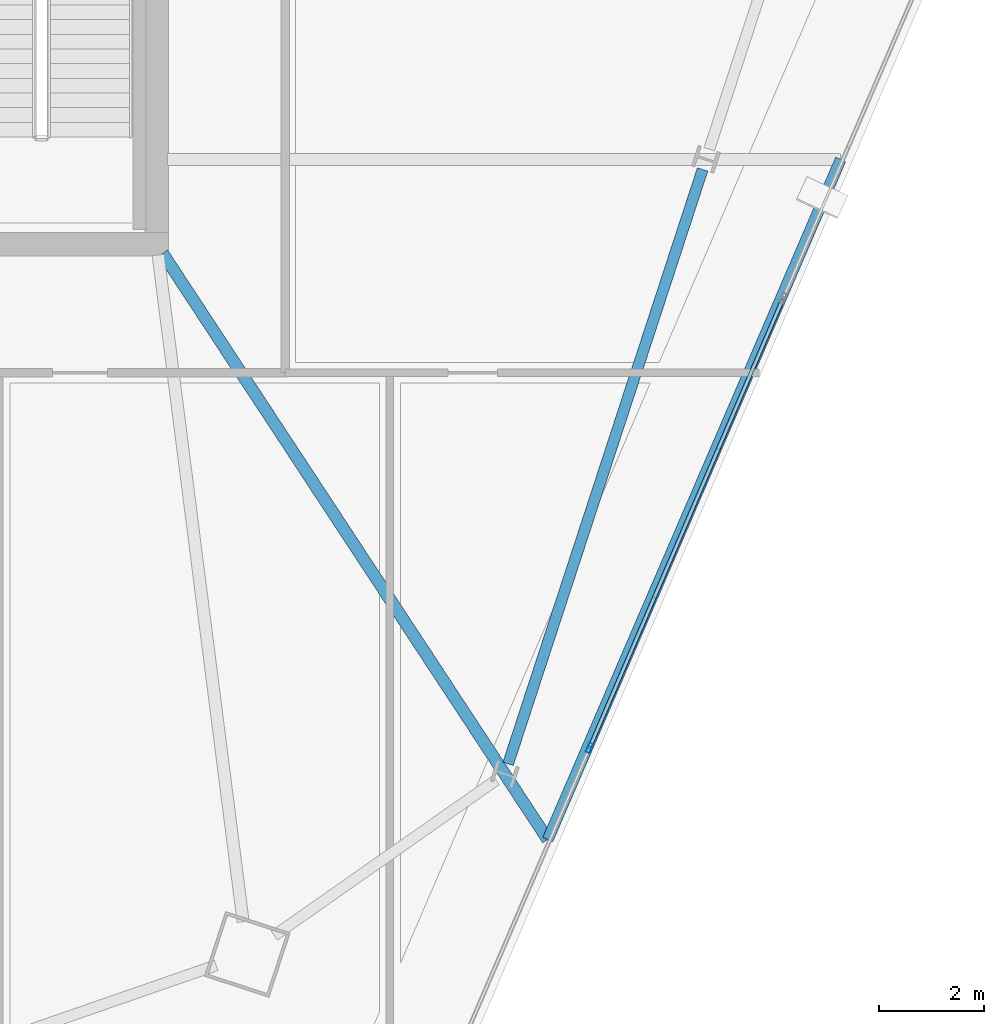
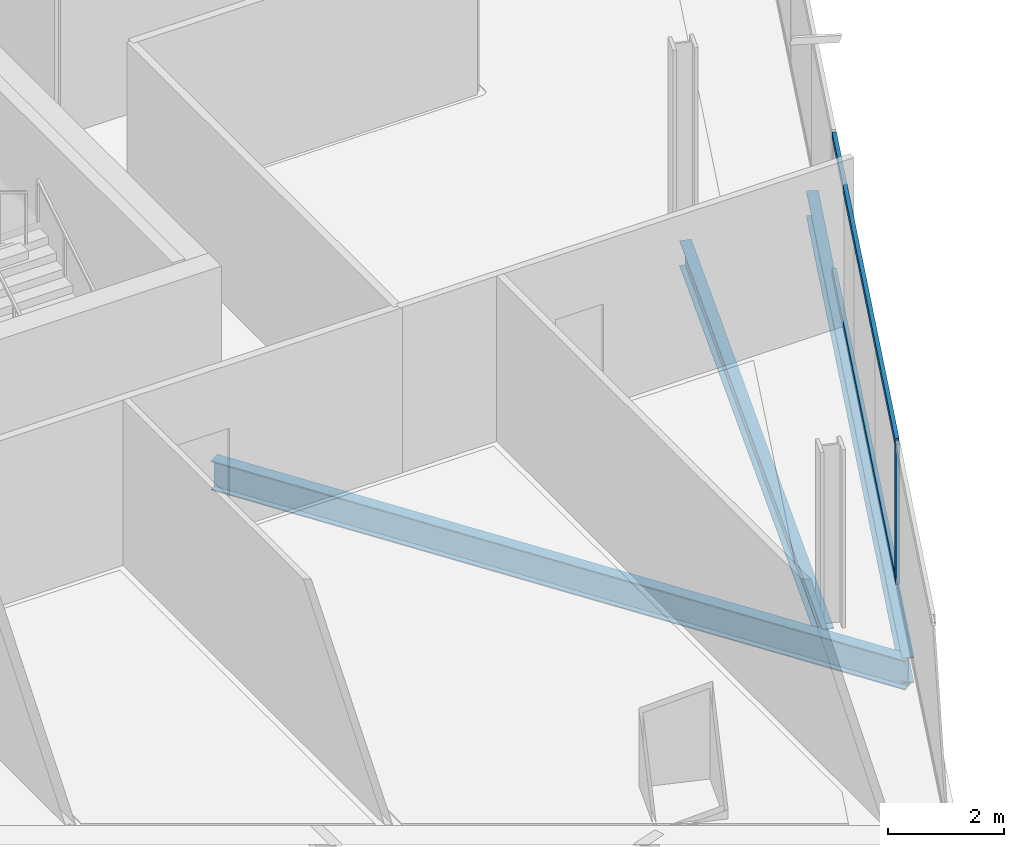
# One storey, part 10 of 28: 3 beams, 3 members, 1 element without a shape of its own.
"""IFC4 building model written with IfcOpenShell, lengths in metres."""

from ifc_helpers import new_model, si_unit, direction, frame, origin, origin_2d, place, context, subcontext, project, spatial, hollow_rectangle, i_section, extrude, material, material_profile, profile_set, type_object, element, aggregate, save


model = new_model("IFC4")

# Units and contexts
model_context = context("Model", 3, precision=1e-05, world=origin(), true_north=direction((0.0, 1.0)))
body_context = subcontext(model_context, "Body", "Model", "MODEL_VIEW")
ifc_project = project(units=[si_unit("LENGTHUNIT", "METRE"), si_unit("AREAUNIT", "SQUARE_METRE"), si_unit("VOLUMEUNIT", "CUBIC_METRE"), si_unit("PLANEANGLEUNIT", "RADIAN"), si_unit("MASSUNIT", "GRAM", prefix="KILO")], contexts=[model_context])

# Site, building, storey
site_placement = place(None, origin())
site = spatial("IfcSite", under=ifc_project, at=site_placement, CompositionType="ELEMENT")
building_placement = place(site_placement, origin())
building = spatial("IfcBuilding", under=site, at=building_placement, Name="Haldenkirk Collegiate Tower", CompositionType="ELEMENT")
storey_placement = place(building_placement, frame((0.0, 0.0, 252.449951171875)))
storey = spatial("IfcBuildingStorey", under=building, at=storey_placement, Name="L63", CompositionType="ELEMENT", Elevation=252.449951171875)

# Beams
ifc_material_1 = material(Name="Steel ASTM A992 Grade 50", Category="steel")
ifc_material_profile_1 = material_profile(ifc_material_1, i_section(OverallWidth=0.22998046875, OverallDepth=0.616943359375, WebThickness=0.01318359375, FlangeThickness=0.022216796875, at=origin_2d()), Name="W24X94")
ifc_profile_set_1 = profile_set([ifc_material_profile_1], Name="Steel ASTM A992 Grade 50")
beam_type_1 = type_object("IfcBeamType", Name="BM-GIRDER-W24X94", PredefinedType="BEAM", material=ifc_profile_set_1)
beam_1_placement = place(storey_placement, frame((52.46435546875, 6.638427734375, -0.578369140625), z_axis=(-0.549086920248, 0.835765250542, 0.0), x_axis=(-0.835765250542, -0.549086920248, 0.0)))
element("IfcBeam", 1, at=beam_1_placement, inside=storey, type_object=beam_type_1, Name="L63 primary floor girder 05", PredefinedType="BEAM", context=body_context, shape_type="SweptSolid", body=[
    extrude(i_section(OverallWidth=0.22998046875, OverallDepth=0.616943359375, WebThickness=0.01318359375, FlangeThickness=0.022216796875, at=origin_2d()), origin(), (0.0, 0.0, 1.0), 13.38916015625),
])
ifc_material_profile_2 = material_profile(ifc_material_1, i_section(OverallWidth=0.2099609375, OverallDepth=0.537109375, WebThickness=0.010986328125, FlangeThickness=0.017333984375, at=origin_2d()), Name="W21X68")
ifc_profile_set_2 = profile_set([ifc_material_profile_2], Name="Steel ASTM A992 Grade 50")
beam_type_2 = type_object("IfcBeamType", Name="BM-SPANDREL-W21X68", PredefinedType="SPANDREL", material=ifc_profile_set_2)
beam_2_placement = place(storey_placement, frame((51.7060546875, 8.081298828125, -0.538330078125), z_axis=(0.311010188249, 0.950406577631, 0.0), x_axis=(-0.950406577631, 0.311010188249, 0.0)))
element("IfcBeam", 2, at=beam_2_placement, inside=storey, type_object=beam_type_2, Name="L63 perimeter spandrel beam 02", PredefinedType="SPANDREL", context=body_context, shape_type="SweptSolid", body=[
    extrude(i_section(OverallWidth=0.2099609375, OverallDepth=0.537109375, WebThickness=0.010986328125, FlangeThickness=0.017333984375, at=origin_2d()), origin(), (0.0, 0.0, 1.0), 11.94287109375),
])
beam_3_placement = place(storey_placement, frame((52.46435546875, 6.638427734375, -0.538330078125), z_axis=(0.395542108336, 0.918447843121, 0.0), x_axis=(-0.918447843121, 0.395542108336, 0.0)))
element("IfcBeam", 3, at=beam_3_placement, inside=storey, type_object=beam_type_2, Name="L63 outer facade edge beam 1", PredefinedType="SPANDREL", context=body_context, shape_type="SweptSolid", body=[
    extrude(i_section(OverallWidth=0.2099609375, OverallDepth=0.537109375, WebThickness=0.010986328125, FlangeThickness=0.017333984375, at=origin_2d()), origin(), (0.0, 0.0, 1.0), 14.138916015625),
])

# Curtain wall, members
ifc_material_2 = material(Name="Anodised architectural bronze aluminium", Category="aluminium")
curtain_wall_type = type_object("IfcCurtainWallType", Name="CW-SYS2-CONCAVE", PredefinedType="USERDEFINED", material=ifc_material_2)
curtain_wall_placement = place(storey_placement, origin())
curtain_wall = element("IfcCurtainWall", 4, at=curtain_wall_placement, inside=storey, type_object=curtain_wall_type, Name="L63 South concave recessed bronze-anodised curtain wall", ObjectType="UNITISED CURTAIN WALL", PredefinedType="USERDEFINED")
ifc_material_profile_3 = material_profile(ifc_material_2, hollow_rectangle(XDim=0.074951171875, YDim=0.18994140625, WallThickness=0.0048828125, at=origin_2d()), Name="CW-MUL-02")
ifc_profile_set_3 = profile_set([ifc_material_profile_3], Name="Anodised architectural bronze aluminium")
member_type_1 = type_object("IfcMemberType", Name="CW-MUL-02", PredefinedType="MULLION", material=ifc_profile_set_3)
member_1_placement = place(storey_placement, frame((53.2607421875, 8.38623046875, 0.0), z_axis=(0.0, 0.0, 1.0), x_axis=(0.918446421115, -0.395545410215, 0.0)))
member_1 = element("IfcMember", 5, at=member_1_placement, type_object=member_type_1, Name="CW-02 mullion 4", PredefinedType="MULLION", context=body_context, shape_type="SweptSolid", body=[
    extrude(hollow_rectangle(XDim=0.074951171875, YDim=0.18994140625, WallThickness=0.0048828125, at=origin_2d()), origin(), (0.0, 0.0, 1.0), 2.93798828125),
])
ifc_material_profile_4 = material_profile(ifc_material_2, hollow_rectangle(XDim=0.074951171875, YDim=0.159912109375, WallThickness=0.0048828125, at=origin_2d()), Name="CW-TRN-02")
ifc_profile_set_4 = profile_set([ifc_material_profile_4], Name="Anodised architectural bronze aluminium")
member_type_2 = type_object("IfcMemberType", Name="CW-TRN-02", PredefinedType="USERDEFINED", material=ifc_profile_set_4)
member_2_placement = place(storey_placement, frame((56.944091796875, 16.939208984375, 0.03759765625), z_axis=(-0.395548406004, -0.918445130918, 0.0), x_axis=(0.918445130918, -0.395548406004, 0.0)))
member_2 = element("IfcMember", 6, at=member_2_placement, type_object=member_type_2, Name="CW-02 transom 3.1", ObjectType="TRANSOM", PredefinedType="USERDEFINED", context=body_context, shape_type="SweptSolid", body=[
    extrude(hollow_rectangle(XDim=0.074951171875, YDim=0.159912109375, WallThickness=0.0048828125, at=origin_2d()), origin(), (0.0, 0.0, 1.0), 9.27490234375),
])
member_3_placement = place(storey_placement, frame((56.944091796875, 16.939208984375, 2.900634765625), z_axis=(-0.395548406004, -0.918445130918, 0.0), x_axis=(0.918445130918, -0.395548406004, 0.0)))
member_3 = element("IfcMember", 7, at=member_3_placement, type_object=member_type_2, Name="CW-02 transom 3.2", ObjectType="TRANSOM", PredefinedType="USERDEFINED", context=body_context, shape_type="SweptSolid", body=[
    extrude(hollow_rectangle(XDim=0.074951171875, YDim=0.159912109375, WallThickness=0.0048828125, at=origin_2d()), origin(), (0.0, 0.0, 1.0), 9.27490234375),
])
aggregate(curtain_wall, [member_1, member_2, member_3])

save(model, "model.ifc")
